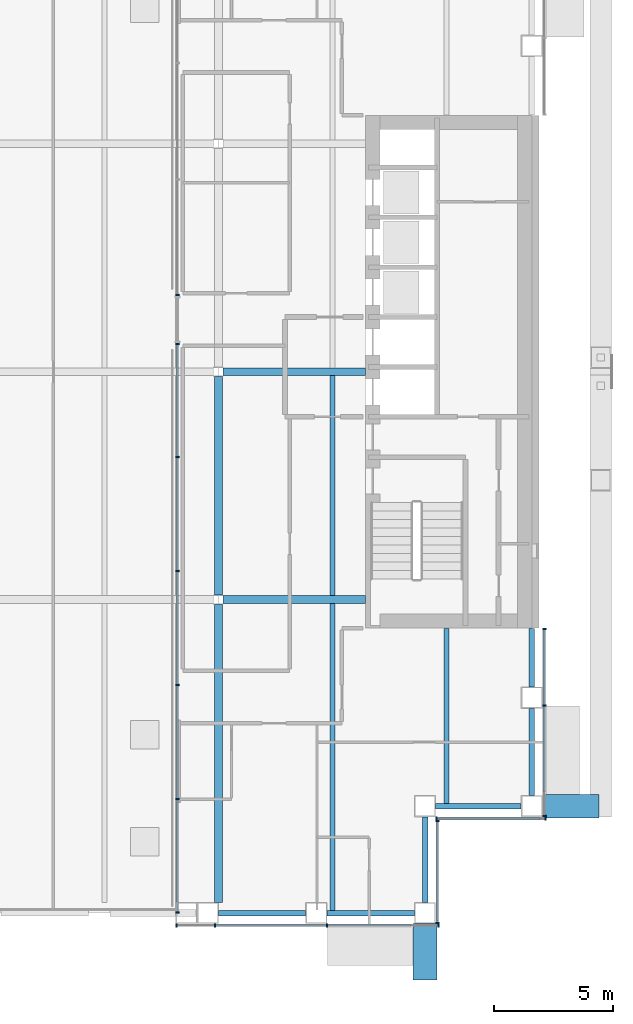
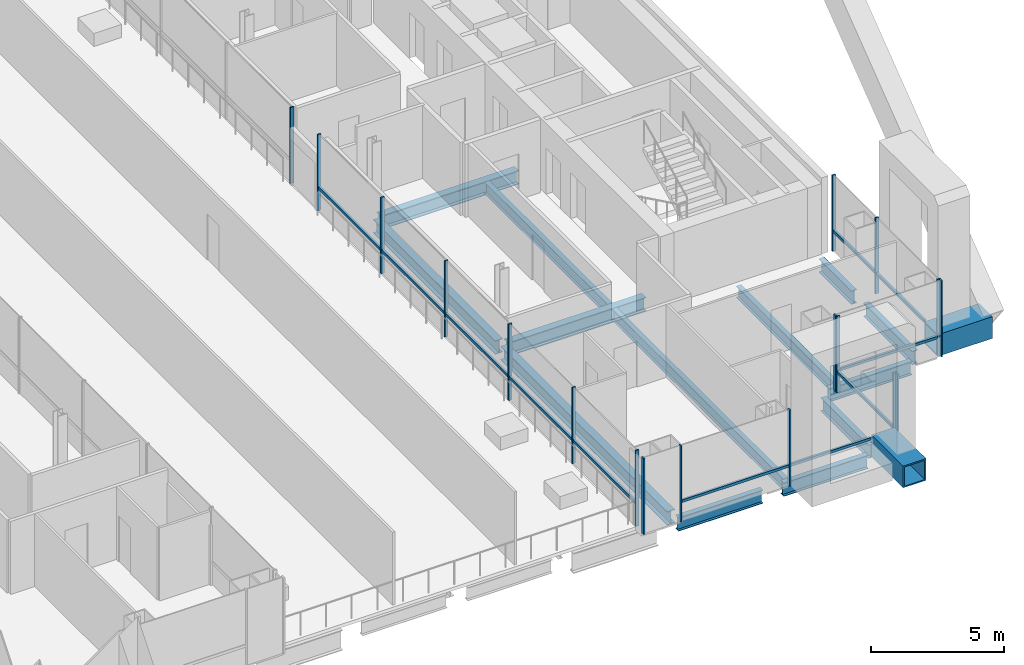
# One storey, part 6 of 20: 29 members, 15 beams, 6 elements without a shape of their own.
"""IFC4 building model written with IfcOpenShell, lengths in metres."""

from ifc_helpers import new_model, si_unit, direction, frame, origin, origin_2d, place, context, subcontext, project, spatial, rectangle, hollow_rectangle, i_section, extrude, material, material_profile, profile_set, type_object, element, aggregate, save


model = new_model("IFC4")

# Units and contexts
model_context = context("Model", 3, precision=1e-05, world=origin(), true_north=direction((0.0, 1.0)))
body_context = subcontext(model_context, "Body", "Model", "MODEL_VIEW")
ifc_project = project(units=[si_unit("LENGTHUNIT", "METRE"), si_unit("AREAUNIT", "SQUARE_METRE"), si_unit("VOLUMEUNIT", "CUBIC_METRE"), si_unit("PLANEANGLEUNIT", "RADIAN"), si_unit("MASSUNIT", "GRAM", prefix="KILO")], contexts=[model_context])

# Site, building, storey
site_placement = place(None, origin())
site = spatial("IfcSite", under=ifc_project, at=site_placement, CompositionType="ELEMENT")
building_placement = place(site_placement, origin())
building = spatial("IfcBuilding", under=site, at=building_placement, Name="Cobrizo Arcos Hotel Tower", CompositionType="ELEMENT")
storey_placement = place(building_placement, frame((0.0, 0.0, 117.0)))
storey = spatial("IfcBuildingStorey", under=building, at=storey_placement, Name="L29", CompositionType="ELEMENT", Elevation=117.0)

# Beams
ifc_material_1 = material(Name="Steel ASTM A572 Grade 50", Category="steel")
ifc_material_profile_1 = material_profile(ifc_material_1, hollow_rectangle(XDim=1.0, YDim=1.0, WallThickness=0.06005859375, at=origin_2d()), Name="BOX 1000X1000X60")
ifc_profile_set_1 = profile_set([ifc_material_profile_1], Name="Steel ASTM A572 Grade 50")
beam_type_1 = type_object("IfcBeamType", Name="BOX 1000X1000X60 brace connector strut", PredefinedType="BEAM", material=ifc_profile_set_1)
for number, where, z_axis, x_axis, name in (
    (1, (23.239990234375, -18.300048828125, 0.5), (1.0, 0.0, 0.0), (0.0, 1.0, 0.0), "Perimeter brace stub BS1, zone Z2, east face, offset -18.30 m, L29"),
    (2, (18.300048828125, -23.239990234375, 0.5), (0.0, -1.0, 0.0), (1.0, 0.0, 0.0), "Perimeter brace stub BS1, zone Z2, south face, offset +18.30 m, L29"),
):
    element("IfcBeam", number, at=place(storey_placement, frame(where, z_axis=z_axis, x_axis=x_axis)), inside=storey, type_object=beam_type_1, Name=name, PredefinedType="BEAM", context=body_context, shape_type="SweptSolid", body=[
        extrude(hollow_rectangle(XDim=1.0, YDim=1.0, WallThickness=0.06005859375, at=origin_2d()), origin(), (0.0, 0.0, 1.0), 2.380126953125),
    ])

# Curtain wall, members
ifc_material_2 = material(Name="Aluminium 6063-T6 anodised bronze", Category="aluminium")
curtain_wall_type_1 = type_object("IfcCurtainWallType", Name="CW-A guest facade", PredefinedType="NOTDEFINED", material=ifc_material_2)
curtain_wall_1_placement = place(storey_placement, origin())
curtain_wall_1 = element("IfcCurtainWall", 3, at=curtain_wall_1_placement, inside=storey, type_object=curtain_wall_type_1, Name="CW-A L29 S face", PredefinedType="NOTDEFINED")
ifc_material_profile_2 = material_profile(ifc_material_2, rectangle(XDim=0.14990234375, YDim=0.06005859375, at=origin_2d()), Name="CW-A mullion 150x60")
ifc_profile_set_2 = profile_set([ifc_material_profile_2], Name="Aluminium 6063-T6 anodised bronze")
member_type_1 = type_object("IfcMemberType", Name="CW-A mullion 150x60", PredefinedType="MULLION", material=ifc_profile_set_2)
member_1_placement = place(storey_placement, frame((7.830078125, -23.324951171875, 0.0), z_axis=(0.0, 0.0, 1.0), x_axis=(0.0, -1.0, 0.0)))
member_1 = element("IfcMember", 4, at=member_1_placement, type_object=member_type_1, Name="CW-A mullion 1", PredefinedType="MULLION", context=body_context, shape_type="SweptSolid", body=[
    extrude(rectangle(XDim=0.14990234375, YDim=0.06005859375, at=origin_2d()), origin(), (0.0, 0.0, 1.0), 3.5),
])
member_2_placement = place(storey_placement, frame((9.449951171875, -23.324951171875, 0.0), z_axis=(0.0, 0.0, 1.0), x_axis=(0.0, -1.0, 0.0)))
member_2 = element("IfcMember", 5, at=member_2_placement, type_object=member_type_1, Name="CW-A mullion 2", PredefinedType="MULLION", context=body_context, shape_type="SweptSolid", body=[
    extrude(rectangle(XDim=0.14990234375, YDim=0.06005859375, at=origin_2d()), origin(), (0.0, 0.0, 1.0), 3.5),
])
member_3_placement = place(storey_placement, frame((14.175048828125, -23.324951171875, 0.0), z_axis=(0.0, 0.0, 1.0), x_axis=(0.0, -1.0, 0.0)))
member_3 = element("IfcMember", 6, at=member_3_placement, type_object=member_type_1, Name="CW-A mullion 3", PredefinedType="MULLION", context=body_context, shape_type="SweptSolid", body=[
    extrude(rectangle(XDim=0.14990234375, YDim=0.06005859375, at=origin_2d()), origin(), (0.0, 0.0, 1.0), 3.5),
])
member_4_placement = place(storey_placement, frame((18.8701171875, -23.324951171875, 0.0), z_axis=(0.0, 0.0, 1.0), x_axis=(0.0, -1.0, 0.0)))
member_4 = element("IfcMember", 7, at=member_4_placement, type_object=member_type_1, Name="CW-A mullion 4", PredefinedType="MULLION", context=body_context, shape_type="SweptSolid", body=[
    extrude(rectangle(XDim=0.14990234375, YDim=0.06005859375, at=origin_2d()), origin(), (0.0, 0.0, 1.0), 3.5),
])

curtain_wall_2_placement = place(storey_placement, origin())
curtain_wall_2 = element("IfcCurtainWall", 8, at=curtain_wall_2_placement, inside=storey, type_object=curtain_wall_type_1, Name="CW-A L29 E face", PredefinedType="NOTDEFINED")
member_5_placement = place(storey_placement, frame((18.824951171875, -23.219970703125, 0.0), z_axis=(0.0, 0.0, 1.0), x_axis=(1.0, 0.0, 0.0)))
member_5 = element("IfcMember", 9, at=member_5_placement, type_object=member_type_1, Name="CW-A mullion 1", PredefinedType="MULLION", context=body_context, shape_type="SweptSolid", body=[
    extrude(rectangle(XDim=0.14990234375, YDim=0.06005859375, at=origin_2d()), origin(), (0.0, 0.0, 1.0), 3.5),
])
member_6_placement = place(storey_placement, frame((18.824951171875, -18.929931640625, 0.0), z_axis=(0.0, 0.0, 1.0), x_axis=(1.0, 0.0, 0.0)))
member_6 = element("IfcMember", 10, at=member_6_placement, type_object=member_type_1, Name="CW-A mullion 2", PredefinedType="MULLION", context=body_context, shape_type="SweptSolid", body=[
    extrude(rectangle(XDim=0.14990234375, YDim=0.06005859375, at=origin_2d()), origin(), (0.0, 0.0, 1.0), 3.5),
])

curtain_wall_3_placement = place(storey_placement, origin())
curtain_wall_3 = element("IfcCurtainWall", 11, at=curtain_wall_3_placement, inside=storey, type_object=curtain_wall_type_1, Name="CW-A L29 S face", PredefinedType="NOTDEFINED")
member_7_placement = place(storey_placement, frame((18.780029296875, -18.824951171875, 0.0), z_axis=(0.0, 0.0, 1.0), x_axis=(0.0, -1.0, 0.0)))
member_7 = element("IfcMember", 12, at=member_7_placement, type_object=member_type_1, Name="CW-A mullion 1", PredefinedType="MULLION", context=body_context, shape_type="SweptSolid", body=[
    extrude(rectangle(XDim=0.14990234375, YDim=0.06005859375, at=origin_2d()), origin(), (0.0, 0.0, 1.0), 3.5),
])
member_8_placement = place(storey_placement, frame((23.3701171875, -18.824951171875, 0.0), z_axis=(0.0, 0.0, 1.0), x_axis=(0.0, -1.0, 0.0)))
member_8 = element("IfcMember", 13, at=member_8_placement, type_object=member_type_1, Name="CW-A mullion 2", PredefinedType="MULLION", context=body_context, shape_type="SweptSolid", body=[
    extrude(rectangle(XDim=0.14990234375, YDim=0.06005859375, at=origin_2d()), origin(), (0.0, 0.0, 1.0), 3.5),
])

curtain_wall_4_placement = place(storey_placement, origin())
curtain_wall_4 = element("IfcCurtainWall", 14, at=curtain_wall_4_placement, inside=storey, type_object=curtain_wall_type_1, Name="CW-A L29 E face", PredefinedType="NOTDEFINED")
member_9_placement = place(storey_placement, frame((23.324951171875, -18.719970703125, 0.0), z_axis=(0.0, 0.0, 1.0), x_axis=(1.0, 0.0, 0.0)))
member_9 = element("IfcMember", 15, at=member_9_placement, type_object=member_type_1, Name="CW-A mullion 1", PredefinedType="MULLION", context=body_context, shape_type="SweptSolid", body=[
    extrude(rectangle(XDim=0.14990234375, YDim=0.06005859375, at=origin_2d()), origin(), (0.0, 0.0, 1.0), 3.5),
])
member_10_placement = place(storey_placement, frame((23.324951171875, -14.0625, 0.0), z_axis=(0.0, 0.0, 1.0), x_axis=(1.0, 0.0, 0.0)))
member_10 = element("IfcMember", 16, at=member_10_placement, type_object=member_type_1, Name="CW-A mullion 2", PredefinedType="MULLION", context=body_context, shape_type="SweptSolid", body=[
    extrude(rectangle(XDim=0.14990234375, YDim=0.06005859375, at=origin_2d()), origin(), (0.0, 0.0, 1.0), 3.5),
])
member_11_placement = place(storey_placement, frame((23.324951171875, -10.830078125, 0.0), z_axis=(0.0, 0.0, 1.0), x_axis=(1.0, 0.0, 0.0)))
member_11 = element("IfcMember", 17, at=member_11_placement, type_object=member_type_1, Name="CW-A mullion 3", PredefinedType="MULLION", context=body_context, shape_type="SweptSolid", body=[
    extrude(rectangle(XDim=0.14990234375, YDim=0.06005859375, at=origin_2d()), origin(), (0.0, 0.0, 1.0), 3.5),
])

# Member
ifc_material_profile_3 = material_profile(ifc_material_2, rectangle(XDim=0.10009765625, YDim=0.1201171875, at=origin_2d()), Name="CW-A transom 120x100")
ifc_profile_set_3 = profile_set([ifc_material_profile_3], Name="Aluminium 6063-T6 anodised bronze")
member_type_2 = type_object("IfcMemberType", Name="CW-A transom 120x100", PredefinedType="USERDEFINED", material=ifc_profile_set_3)
member_12_placement = place(storey_placement, frame((9.47998046875, -23.324951171875, 0.929931640625), z_axis=(1.0, 0.0, 0.0), x_axis=(0.0, 1.0, 0.0)))
member_12 = element("IfcMember", 18, at=member_12_placement, type_object=member_type_2, Name="CW-A transom 1111", ObjectType="TRANSOM", PredefinedType="USERDEFINED", context=body_context, shape_type="SweptSolid", body=[
    extrude(rectangle(XDim=0.10009765625, YDim=0.1201171875, at=origin_2d()), origin(), (0.0, 0.0, 1.0), 4.6650390625),
])

member_13_placement = place(storey_placement, frame((14.205078125, -23.324951171875, 0.929931640625), z_axis=(1.0, 0.0, 0.0), x_axis=(0.0, 1.0, 0.0)))
member_13 = element("IfcMember", 19, at=member_13_placement, type_object=member_type_2, Name="CW-A transom 1112", ObjectType="TRANSOM", PredefinedType="USERDEFINED", context=body_context, shape_type="SweptSolid", body=[
    extrude(rectangle(XDim=0.10009765625, YDim=0.1201171875, at=origin_2d()), origin(), (0.0, 0.0, 1.0), 3.494873046875),
])

aggregate(curtain_wall_1, [member_1, member_2, member_3, member_4, member_12, member_13])

member_14_placement = place(storey_placement, frame((18.824951171875, -23.139892578125, 0.929931640625), z_axis=(0.0, 1.0, 0.0), x_axis=(-1.0, 0.0, 0.0)))
member_14 = element("IfcMember", 20, at=member_14_placement, type_object=member_type_2, Name="CW-A transom 1113", ObjectType="TRANSOM", PredefinedType="USERDEFINED", context=body_context, shape_type="SweptSolid", body=[
    extrude(rectangle(XDim=0.10009765625, YDim=0.1201171875, at=origin_2d()), origin(), (0.0, 0.0, 1.0), 4.179931640625),
])

aggregate(curtain_wall_2, [member_5, member_6, member_14])

member_15_placement = place(storey_placement, frame((18.89990234375, -18.824951171875, 0.929931640625), z_axis=(1.0, 0.0, 0.0), x_axis=(0.0, 1.0, 0.0)))
member_15 = element("IfcMember", 21, at=member_15_placement, type_object=member_type_2, Name="CW-A transom 1114", ObjectType="TRANSOM", PredefinedType="USERDEFINED", context=body_context, shape_type="SweptSolid", body=[
    extrude(rectangle(XDim=0.10009765625, YDim=0.1201171875, at=origin_2d()), origin(), (0.0, 0.0, 1.0), 4.239990234375),
])

aggregate(curtain_wall_3, [member_7, member_8, member_15])

member_16_placement = place(storey_placement, frame((23.324951171875, -17.699951171875, 0.929931640625), z_axis=(0.0, 1.0, 0.0), x_axis=(-1.0, 0.0, 0.0)))
member_16 = element("IfcMember", 22, at=member_16_placement, type_object=member_type_2, Name="CW-A transom 1115", ObjectType="TRANSOM", PredefinedType="USERDEFINED", context=body_context, shape_type="SweptSolid", body=[
    extrude(rectangle(XDim=0.10009765625, YDim=0.1201171875, at=origin_2d()), origin(), (0.0, 0.0, 1.0), 3.607421875),
])

member_17_placement = place(storey_placement, frame((23.324951171875, -14.032470703125, 0.929931640625), z_axis=(0.0, 1.0, 0.0), x_axis=(-1.0, 0.0, 0.0)))
member_17 = element("IfcMember", 23, at=member_17_placement, type_object=member_type_2, Name="CW-A transom 1116", ObjectType="TRANSOM", PredefinedType="USERDEFINED", context=body_context, shape_type="SweptSolid", body=[
    extrude(rectangle(XDim=0.10009765625, YDim=0.1201171875, at=origin_2d()), origin(), (0.0, 0.0, 1.0), 3.17236328125),
])

aggregate(curtain_wall_4, [member_9, member_10, member_11, member_16, member_17])

# Curtain wall, members
curtain_wall_type_2 = type_object("IfcCurtainWallType", Name="CW-F void screen", PredefinedType="NOTDEFINED", material=ifc_material_2)
curtain_wall_5_placement = place(storey_placement, origin())
curtain_wall_5 = element("IfcCurtainWall", 24, at=curtain_wall_5_placement, inside=storey, type_object=curtain_wall_type_2, Name="CW-F L29 void screen B", PredefinedType="NOTDEFINED")
ifc_material_profile_4 = material_profile(ifc_material_2, rectangle(XDim=0.14990234375, YDim=0.06005859375, at=origin_2d()), Name="CW-F mullion 150x60")
ifc_profile_set_4 = profile_set([ifc_material_profile_4], Name="Aluminium 6063-T6 anodised bronze")
member_type_3 = type_object("IfcMemberType", Name="CW-F mullion 150x60", PredefinedType="MULLION", material=ifc_profile_set_4)
member_18_placement = place(storey_placement, frame((7.875, -22.77001953125, 0.0), z_axis=(0.0, 0.0, 1.0), x_axis=(1.0, 0.0, 0.0)))
member_18 = element("IfcMember", 25, at=member_18_placement, type_object=member_type_3, Name="CW-F mullion 1", PredefinedType="MULLION", context=body_context, shape_type="SweptSolid", body=[
    extrude(rectangle(XDim=0.14990234375, YDim=0.06005859375, at=origin_2d()), origin(), (0.0, 0.0, 1.0), 3.5),
])
member_19_placement = place(storey_placement, frame((7.875, -18.0, 0.0), z_axis=(0.0, 0.0, 1.0), x_axis=(1.0, 0.0, 0.0)))
member_19 = element("IfcMember", 26, at=member_19_placement, type_object=member_type_3, Name="CW-F mullion 2", PredefinedType="MULLION", context=body_context, shape_type="SweptSolid", body=[
    extrude(rectangle(XDim=0.14990234375, YDim=0.06005859375, at=origin_2d()), origin(), (0.0, 0.0, 1.0), 3.5),
])
member_20_placement = place(storey_placement, frame((7.875, -13.199951171875, 0.0), z_axis=(0.0, 0.0, 1.0), x_axis=(1.0, 0.0, 0.0)))
member_20 = element("IfcMember", 27, at=member_20_placement, type_object=member_type_3, Name="CW-F mullion 3", PredefinedType="MULLION", context=body_context, shape_type="SweptSolid", body=[
    extrude(rectangle(XDim=0.14990234375, YDim=0.06005859375, at=origin_2d()), origin(), (0.0, 0.0, 1.0), 3.5),
])
member_21_placement = place(storey_placement, frame((7.875, -8.39990234375, 0.0), z_axis=(0.0, 0.0, 1.0), x_axis=(1.0, 0.0, 0.0)))
member_21 = element("IfcMember", 28, at=member_21_placement, type_object=member_type_3, Name="CW-F mullion 4", PredefinedType="MULLION", context=body_context, shape_type="SweptSolid", body=[
    extrude(rectangle(XDim=0.14990234375, YDim=0.06005859375, at=origin_2d()), origin(), (0.0, 0.0, 1.0), 3.5),
])
member_22_placement = place(storey_placement, frame((7.875, -3.60009765625, 0.0), z_axis=(0.0, 0.0, 1.0), x_axis=(1.0, 0.0, 0.0)))
member_22 = element("IfcMember", 29, at=member_22_placement, type_object=member_type_3, Name="CW-F mullion 5", PredefinedType="MULLION", context=body_context, shape_type="SweptSolid", body=[
    extrude(rectangle(XDim=0.14990234375, YDim=0.06005859375, at=origin_2d()), origin(), (0.0, 0.0, 1.0), 3.5),
])
member_23_placement = place(storey_placement, frame((7.875, 1.169921875, 0.0), z_axis=(0.0, 0.0, 1.0), x_axis=(1.0, 0.0, 0.0)))
member_23 = element("IfcMember", 30, at=member_23_placement, type_object=member_type_3, Name="CW-F mullion 6", PredefinedType="MULLION", context=body_context, shape_type="SweptSolid", body=[
    extrude(rectangle(XDim=0.14990234375, YDim=0.06005859375, at=origin_2d()), origin(), (0.0, 0.0, 1.0), 3.5),
])

# Curtain wall, member
curtain_wall_6_placement = place(storey_placement, origin())
curtain_wall_6 = element("IfcCurtainWall", 31, at=curtain_wall_6_placement, inside=storey, type_object=curtain_wall_type_2, Name="CW-F L29 void screen B", PredefinedType="NOTDEFINED")
member_24_placement = place(storey_placement, frame((7.875, 3.22998046875, 0.0), z_axis=(0.0, 0.0, 1.0), x_axis=(1.0, 0.0, 0.0)))
member_24 = element("IfcMember", 32, at=member_24_placement, type_object=member_type_3, Name="CW-F mullion 1", PredefinedType="MULLION", context=body_context, shape_type="SweptSolid", body=[
    extrude(rectangle(XDim=0.14990234375, YDim=0.06005859375, at=origin_2d()), origin(), (0.0, 0.0, 1.0), 3.5),
])
aggregate(curtain_wall_6, [member_24])

# Member
ifc_material_profile_5 = material_profile(ifc_material_2, rectangle(XDim=0.10009765625, YDim=0.1201171875, at=origin_2d()), Name="CW-F transom 120x100")
ifc_profile_set_5 = profile_set([ifc_material_profile_5], Name="Aluminium 6063-T6 anodised bronze")
member_type_4 = type_object("IfcMemberType", Name="CW-F transom 120x100", PredefinedType="USERDEFINED", material=ifc_profile_set_5)
member_25_placement = place(storey_placement, frame((7.875, -22.739990234375, 1.050048828125), z_axis=(0.0, 1.0, 0.0), x_axis=(-1.0, 0.0, 0.0)))
member_25 = element("IfcMember", 33, at=member_25_placement, type_object=member_type_4, Name="CW-F transom 2568", ObjectType="TRANSOM", PredefinedType="USERDEFINED", context=body_context, shape_type="SweptSolid", body=[
    extrude(rectangle(XDim=0.10009765625, YDim=0.1201171875, at=origin_2d()), origin(), (0.0, 0.0, 1.0), 4.7099609375),
])

member_26_placement = place(storey_placement, frame((7.875, -17.969970703125, 1.050048828125), z_axis=(0.0, 1.0, 0.0), x_axis=(-1.0, 0.0, 0.0)))
member_26 = element("IfcMember", 34, at=member_26_placement, type_object=member_type_4, Name="CW-F transom 2569", ObjectType="TRANSOM", PredefinedType="USERDEFINED", context=body_context, shape_type="SweptSolid", body=[
    extrude(rectangle(XDim=0.10009765625, YDim=0.1201171875, at=origin_2d()), origin(), (0.0, 0.0, 1.0), 4.739990234375),
])

member_27_placement = place(storey_placement, frame((7.875, -13.169921875, 1.050048828125), z_axis=(0.0, 1.0, 0.0), x_axis=(-1.0, 0.0, 0.0)))
member_27 = element("IfcMember", 35, at=member_27_placement, type_object=member_type_4, Name="CW-F transom 2570", ObjectType="TRANSOM", PredefinedType="USERDEFINED", context=body_context, shape_type="SweptSolid", body=[
    extrude(rectangle(XDim=0.10009765625, YDim=0.1201171875, at=origin_2d()), origin(), (0.0, 0.0, 1.0), 4.739990234375),
])

member_28_placement = place(storey_placement, frame((7.875, -8.3701171875, 1.050048828125), z_axis=(0.0, 1.0, 0.0), x_axis=(-1.0, 0.0, 0.0)))
member_28 = element("IfcMember", 36, at=member_28_placement, type_object=member_type_4, Name="CW-F transom 2571", ObjectType="TRANSOM", PredefinedType="USERDEFINED", context=body_context, shape_type="SweptSolid", body=[
    extrude(rectangle(XDim=0.10009765625, YDim=0.1201171875, at=origin_2d()), origin(), (0.0, 0.0, 1.0), 4.740234375),
])

member_29_placement = place(storey_placement, frame((7.875, -3.570068359375, 1.050048828125), z_axis=(0.0, 1.0, 0.0), x_axis=(-1.0, 0.0, 0.0)))
member_29 = element("IfcMember", 37, at=member_29_placement, type_object=member_type_4, Name="CW-F transom 2572", ObjectType="TRANSOM", PredefinedType="USERDEFINED", context=body_context, shape_type="SweptSolid", body=[
    extrude(rectangle(XDim=0.10009765625, YDim=0.1201171875, at=origin_2d()), origin(), (0.0, 0.0, 1.0), 4.7099609375),
])

aggregate(curtain_wall_5, [member_18, member_19, member_20, member_21, member_22, member_23, member_25, member_26, member_27, member_28, member_29])

# Beams
ifc_material_3 = material(Name="Steel ASTM A992 Grade 50", Category="steel")
ifc_material_profile_6 = material_profile(ifc_material_3, i_section(OverallWidth=0.209228515625, OverallDepth=0.533447265625, WebThickness=0.01025390625, FlangeThickness=0.015625, at=origin_2d()), Name="W21X62")
ifc_profile_set_6 = profile_set([ifc_material_profile_6], Name="Steel ASTM A992 Grade 50")
beam_type_2 = type_object("IfcBeamType", Name="W21X62 joist", PredefinedType="JOIST", material=ifc_profile_set_6)
beam_1_placement = place(storey_placement, frame((14.39990234375, -22.7099609375, -0.416748046875), z_axis=(0.0, 1.0, 0.0), x_axis=(-1.0, 0.0, 0.0)))
element("IfcBeam", 38, at=beam_1_placement, inside=storey, type_object=beam_type_2, Name="Floor joist J1, L29, no. 015", PredefinedType="JOIST", context=body_context, shape_type="SweptSolid", body=[
    extrude(i_section(OverallWidth=0.209228515625, OverallDepth=0.533447265625, WebThickness=0.01025390625, FlangeThickness=0.015625, at=origin_2d()), origin(), (0.0, 0.0, 1.0), 12.946044921875),
])
beam_2_placement = place(storey_placement, frame((14.39990234375, -9.43603515625, -0.416748046875), z_axis=(0.0, 1.0, 0.0), x_axis=(-1.0, 0.0, 0.0)))
element("IfcBeam", 39, at=beam_2_placement, inside=storey, type_object=beam_type_2, Name="Floor joist J1, L29, no. 016", PredefinedType="JOIST", context=body_context, shape_type="SweptSolid", body=[
    extrude(i_section(OverallWidth=0.209228515625, OverallDepth=0.533447265625, WebThickness=0.01025390625, FlangeThickness=0.015625, at=origin_2d()), origin(), (0.0, 0.0, 1.0), 9.272216796875),
])
beam_3_placement = place(storey_placement, frame((19.199951171875, -18.2099609375, -0.416748046875), z_axis=(0.0, 1.0, 0.0), x_axis=(-1.0, 0.0, 0.0)))
element("IfcBeam", 40, at=beam_3_placement, inside=storey, type_object=beam_type_2, Name="Floor joist J1, L29, no. 019", PredefinedType="JOIST", context=body_context, shape_type="SweptSolid", body=[
    extrude(i_section(OverallWidth=0.209228515625, OverallDepth=0.533447265625, WebThickness=0.01025390625, FlangeThickness=0.015625, at=origin_2d()), origin(), (0.0, 0.0, 1.0), 7.39990234375),
])
ifc_material_profile_7 = material_profile(ifc_material_3, i_section(OverallWidth=0.32763671875, OverallDepth=0.622314453125, WebThickness=0.015380859375, FlangeThickness=0.0244140625, at=origin_2d()), Name="W24X131")
ifc_profile_set_7 = profile_set([ifc_material_profile_7], Name="Steel ASTM A992 Grade 50")
beam_type_3 = type_object("IfcBeamType", Name="W24X131 girder", PredefinedType="BEAM", material=ifc_profile_set_7)
for number, where, z_axis, x_axis, name in (
    (41, (9.79931640625, -9.60009765625, -0.461181640625), (1.0, 0.0, 0.0), (0.0, 1.0, 0.0), "Floor girder G1, L29, no. 004"),
    (42, (9.79931640625, 0.0, -0.461181640625), (1.0, 0.0, 0.0), (0.0, 1.0, 0.0), "Floor girder G1, L29, no. 008"),
):
    element("IfcBeam", number, at=place(storey_placement, frame(where, z_axis=z_axis, x_axis=x_axis)), inside=storey, type_object=beam_type_3, Name=name, PredefinedType="BEAM", context=body_context, shape_type="SweptSolid", body=[
        extrude(i_section(OverallWidth=0.32763671875, OverallDepth=0.622314453125, WebThickness=0.015380859375, FlangeThickness=0.0244140625, at=origin_2d()), origin(), (0.0, 0.0, 1.0), 5.99072265625),
    ])
beam_4_placement = place(storey_placement, frame((9.60009765625, -22.35009765625, -0.461181640625), z_axis=(0.0, 1.0, 0.0), x_axis=(-1.0, 0.0, 0.0)))
element("IfcBeam", 43, at=beam_4_placement, inside=storey, type_object=beam_type_3, Name="Floor girder G1, L29, no. 021", PredefinedType="BEAM", context=body_context, shape_type="SweptSolid", body=[
    extrude(i_section(OverallWidth=0.32763671875, OverallDepth=0.622314453125, WebThickness=0.015380859375, FlangeThickness=0.0244140625, at=origin_2d()), origin(), (0.0, 0.0, 1.0), 12.55078125),
])
beam_5_placement = place(storey_placement, frame((9.60009765625, -9.400634765625, -0.461181640625), z_axis=(0.0, 1.0, 0.0), x_axis=(-1.0, 0.0, 0.0)))
element("IfcBeam", 44, at=beam_5_placement, inside=storey, type_object=beam_type_3, Name="Floor girder G1, L29, no. 022", PredefinedType="BEAM", context=body_context, shape_type="SweptSolid", body=[
    extrude(i_section(OverallWidth=0.32763671875, OverallDepth=0.622314453125, WebThickness=0.015380859375, FlangeThickness=0.0244140625, at=origin_2d()), origin(), (0.0, 0.0, 1.0), 9.201171875),
])
ifc_material_profile_8 = material_profile(ifc_material_3, i_section(OverallWidth=0.23046875, OverallDepth=0.6171875, WebThickness=0.01318359375, FlangeThickness=0.022216796875, at=origin_2d()), Name="W24X94")
ifc_profile_set_8 = profile_set([ifc_material_profile_8], Name="Steel ASTM A992 Grade 50")
beam_type_4 = type_object("IfcBeamType", Name="W24X94 spandrel", PredefinedType="SPANDREL", material=ifc_profile_set_8)
beam_6_placement = place(storey_placement, frame((9.60009765625, -22.800048828125, -0.45849609375), z_axis=(1.0, 0.0, 0.0), x_axis=(0.0, 1.0, 0.0)))
element("IfcBeam", 45, at=beam_6_placement, inside=storey, type_object=beam_type_4, Name="Spandrel beam W24X94, L29, no. 005", PredefinedType="SPANDREL", context=body_context, shape_type="SweptSolid", body=[
    extrude(i_section(OverallWidth=0.23046875, OverallDepth=0.6171875, WebThickness=0.01318359375, FlangeThickness=0.022216796875, at=origin_2d()), origin(), (0.0, 0.0, 1.0), 3.6748046875),
])
beam_7_placement = place(storey_placement, frame((14.175048828125, -22.800048828125, -0.45849609375), z_axis=(1.0, 0.0, 0.0), x_axis=(0.0, 1.0, 0.0)))
element("IfcBeam", 46, at=beam_7_placement, inside=storey, type_object=beam_type_4, Name="Spandrel beam W24X94, L29, no. 006", PredefinedType="SPANDREL", context=body_context, shape_type="SweptSolid", body=[
    extrude(i_section(OverallWidth=0.23046875, OverallDepth=0.6171875, WebThickness=0.01318359375, FlangeThickness=0.022216796875, at=origin_2d()), origin(), (0.0, 0.0, 1.0), 3.675048828125),
])
for number, where, z_axis, x_axis, name in (
    (47, (18.300048828125, -22.35009765625, -0.45849609375), (0.0, 1.0, 0.0), (-1.0, 0.0, 0.0), "Spandrel beam W24X94, L29, no. 007"),
    (48, (18.75, -18.300048828125, -0.45849609375), (1.0, 0.0, 0.0), (0.0, 1.0, 0.0), "Spandrel beam W24X94, L29, no. 008"),
):
    element("IfcBeam", number, at=place(storey_placement, frame(where, z_axis=z_axis, x_axis=x_axis)), inside=storey, type_object=beam_type_4, Name=name, PredefinedType="SPANDREL", context=body_context, shape_type="SweptSolid", body=[
        extrude(i_section(OverallWidth=0.23046875, OverallDepth=0.6171875, WebThickness=0.01318359375, FlangeThickness=0.022216796875, at=origin_2d()), origin(), (0.0, 0.0, 1.0), 3.60009765625),
    ])
beam_8_placement = place(storey_placement, frame((22.800048828125, -17.85009765625, -0.45849609375), z_axis=(0.0, 1.0, 0.0), x_axis=(-1.0, 0.0, 0.0)))
element("IfcBeam", 49, at=beam_8_placement, inside=storey, type_object=beam_type_4, Name="Spandrel beam W24X94, L29, no. 009", PredefinedType="SPANDREL", context=body_context, shape_type="SweptSolid", body=[
    extrude(i_section(OverallWidth=0.23046875, OverallDepth=0.6171875, WebThickness=0.01318359375, FlangeThickness=0.022216796875, at=origin_2d()), origin(), (0.0, 0.0, 1.0), 3.675048828125),
])
beam_9_placement = place(storey_placement, frame((22.800048828125, -13.27490234375, -0.45849609375), z_axis=(0.0, 1.0, 0.0), x_axis=(-1.0, 0.0, 0.0)))
element("IfcBeam", 50, at=beam_9_placement, inside=storey, type_object=beam_type_4, Name="Spandrel beam W24X94, L29, no. 010", PredefinedType="SPANDREL", context=body_context, shape_type="SweptSolid", body=[
    extrude(i_section(OverallWidth=0.23046875, OverallDepth=0.6171875, WebThickness=0.01318359375, FlangeThickness=0.022216796875, at=origin_2d()), origin(), (0.0, 0.0, 1.0), 2.46484375),
])

save(model, "model.ifc")
